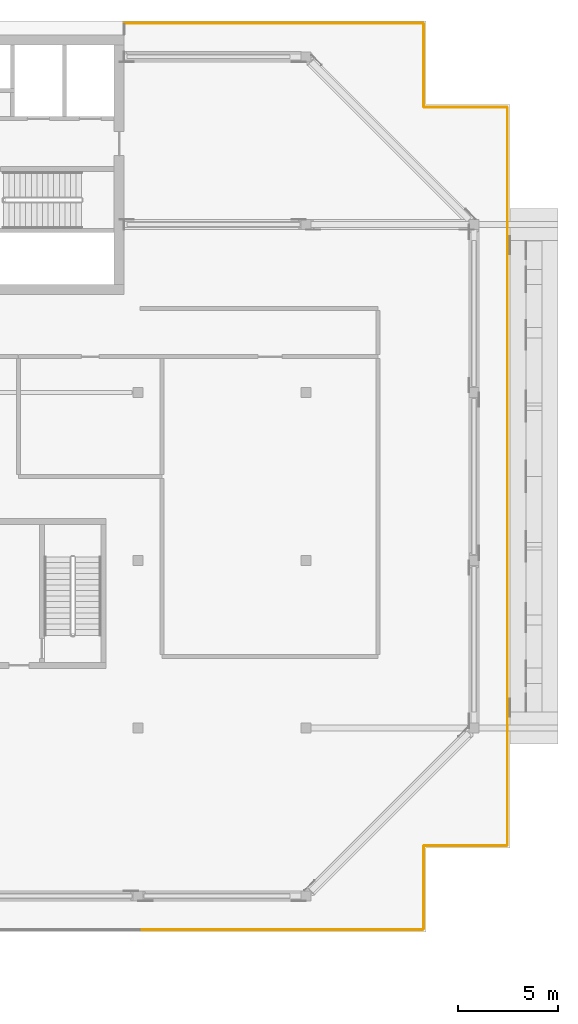
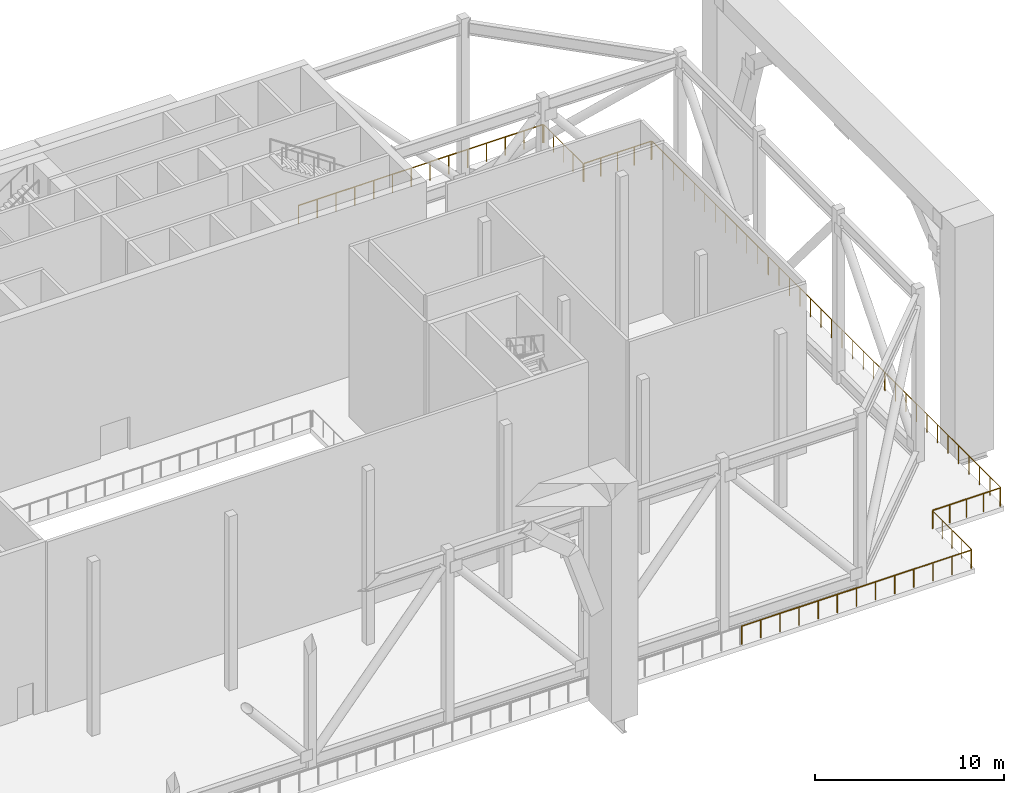
# One storey, part 20 of 20: 9 railings.
"""IFC4 building model written with IfcOpenShell, lengths in metres."""

import ifcopenshell
import ifcopenshell.guid

model = None  # the IFC model being written
_history = None  # IfcOwnerHistory: only IFC2X3 demands one
_inside = {}  # id of a spatial element -> (the spatial element, [elements in it])
_under = {}  # id of a project, library or spatial element -> (it, [spatial elements below it])
_declared = {}  # id of a project -> (the project, [libraries it declares])
_typed = {}  # id of a type object -> (the type object, [elements of that type])
_made_of = {}  # id of a material, layer set ... -> (it, [elements and type objects made of it])


def new_model(schema):
    """Start an empty IFC model of exactly this schema.

    Asked for "IFC4X3", IfcOpenShell would pick the latest addendum, in which some entities
    have other attributes; the version numbers below select the first issue.
    IFC2X3 requires an IfcOwnerHistory on every rooted entity: one is made here for all.
    """
    global model, _history
    if schema == "IFC4X3":
        model = ifcopenshell.file(schema_version=(4, 3, 0, 0))
    else:
        model = ifcopenshell.file(schema=schema)
    _inside.clear()
    _under.clear()
    _declared.clear()
    _typed.clear()
    _made_of.clear()
    _history = None
    if model.schema == "IFC2X3":
        org = make("IfcOrganization", Name="unknown")
        user = make(
            "IfcPersonAndOrganization",
            ThePerson=make("IfcPerson", FamilyName="unknown"),
            TheOrganization=org,
        )
        app = make(
            "IfcApplication",
            ApplicationDeveloper=org,
            Version="unknown",
            ApplicationFullName="unknown",
            ApplicationIdentifier="unknown",
        )
        _history = make(
            "IfcOwnerHistory",
            OwningUser=user,
            OwningApplication=app,
            ChangeAction="ADDED",
            CreationDate=0,
        )
    return model


def make(cls, **values):
    """One entity of the class cls with the attributes given. An attribute that is None is left unset."""
    return model.create_entity(
        cls, **{name: value for name, value in values.items() if value is not None}
    )


def rooted(cls, **values):
    """An entity with a GlobalId (a new one), such as an element, a storey or a relation."""
    return make(cls, GlobalId=ifcopenshell.guid.new(), OwnerHistory=_history, **values)


def si_unit(unit_type, name, prefix=None):
    """IfcSIUnit, for example si_unit("LENGTHUNIT", "METRE", prefix="MILLI")."""
    return make("IfcSIUnit", UnitType=unit_type, Prefix=prefix, Name=name)


def assignment(units):
    """IfcUnitAssignment: the units of a project."""
    return None if units is None else make("IfcUnitAssignment", Units=units)


def point(xyz):
    """IfcCartesianPoint."""
    return None if xyz is None else make("IfcCartesianPoint", Coordinates=xyz)


def direction(xyz):
    """IfcDirection."""
    return None if xyz is None else make("IfcDirection", DirectionRatios=xyz)


def frame(location, z_axis=None, x_axis=None):
    """IfcAxis2Placement3D, a coordinate frame: its origin and axes. An axis left out is left unset."""
    return make(
        "IfcAxis2Placement3D",
        Location=point(location),
        Axis=direction(z_axis),
        RefDirection=direction(x_axis),
    )


def frame_2d(location, x_axis=None):
    """IfcAxis2Placement2D, a coordinate frame in the plane: its origin and x axis."""
    return make(
        "IfcAxis2Placement2D", Location=point(location), RefDirection=direction(x_axis)
    )


def origin():
    """The frame at (0, 0, 0) with its axes left unset."""
    return frame((0.0, 0.0, 0.0))


def origin_2d():
    """The frame at (0, 0) in the plane with its x axis left unset."""
    return frame_2d((0.0, 0.0))


def place(relative_to, where):
    """IfcLocalPlacement: puts the frame where relative to a parent placement (None: the world)."""
    return make(
        "IfcLocalPlacement", PlacementRelTo=relative_to, RelativePlacement=where
    )


def context(
    kind, dimensions, precision=None, world=None, true_north=None, identifier=None
):
    """IfcGeometricRepresentationContext, for example the 3D "Model" context."""
    return make(
        "IfcGeometricRepresentationContext",
        ContextIdentifier=identifier,
        ContextType=kind,
        CoordinateSpaceDimension=dimensions,
        Precision=precision,
        WorldCoordinateSystem=world,
        TrueNorth=true_north,
    )


def subcontext(parent, identifier, kind, view, scale=None):
    """IfcGeometricRepresentationSubContext, for example "Body" below "Model"."""
    return make(
        "IfcGeometricRepresentationSubContext",
        ContextIdentifier=identifier,
        ContextType=kind,
        ParentContext=parent,
        TargetScale=scale,
        TargetView=view,
    )


def project(units=None, contexts=None):
    """IfcProject with its units and contexts."""
    return rooted(
        "IfcProject",
        Name="project",
        RepresentationContexts=contexts,
        UnitsInContext=assignment(units),
    )


def spatial(cls, under=None, at=None, **own):
    """A site, building, storey or space (cls), placed at a placement, below another one or the project."""
    s = rooted(cls, ObjectPlacement=at, **own)
    if under is not None:
        _under.setdefault(under.id(), (under, []))[1].append(s)
    return s


def profile(cls, at=None, kind="AREA", **sizes):
    """A parametric profile (cls). Its sizes go by their IFC names, for example OverallWidth=200.0."""
    return make(cls, ProfileType=kind, Position=at, **sizes)


def circle(**sizes):
    """IfcCircleProfileDef."""
    return profile("IfcCircleProfileDef", **sizes)


def extrude(swept, where, along, depth):
    """IfcExtrudedAreaSolid: the profile swept, set in the frame where, extruded along a direction by depth."""
    return make(
        "IfcExtrudedAreaSolid",
        SweptArea=swept,
        Position=where,
        ExtrudedDirection=direction(along),
        Depth=depth,
    )


def shape(context_of_items, identifier, shape_type, items):
    """IfcShapeRepresentation: the items that make up one representation, for example the "Body"."""
    return make(
        "IfcShapeRepresentation",
        ContextOfItems=context_of_items,
        RepresentationIdentifier=identifier,
        RepresentationType=shape_type,
        Items=items,
    )


def material(Name=None, Category=None):
    """IfcMaterial."""
    return make("IfcMaterial", Name=Name, Category=Category)


def made_of(thing, what):
    """Note that an element or type object is made of a material, layer set ...; save() writes the relation."""
    if what is not None:
        _made_of.setdefault(what.id(), (what, []))[1].append(thing)
    return thing


def type_object(cls, material=None, **own):
    """A type object (cls), such as IfcWallType, which elements share."""
    return made_of(rooted(cls, **own), material)


def element(
    cls,
    number,
    at=None,
    inside=None,
    cuts=None,
    type_object=None,
    material=None,
    context=None,
    identifier="Body",
    shape_type=None,
    held_by="IfcProductDefinitionShape",
    body=None,
    shapes=None,
    **own,
):
    """One element of the class cls, such as IfcWall. Its Tag is "e" and its number.

    at: its placement. inside: the storey or other place that contains it. cuts: it is an
    opening in that element (IfcRelVoidsElement). A single representation is given by context,
    identifier, shape_type and body (its items); several are given by shapes. held_by: the class
    of the entity that holds the representations. save() writes the other relations.
    """
    e = rooted(cls, Tag="e%d" % number, ObjectPlacement=at, **own)
    if body is not None:
        shapes = [shape(context, identifier, shape_type, body)]
    if shapes is not None:
        e.Representation = make(held_by, Representations=shapes)
    if inside is not None:
        _inside.setdefault(inside.id(), (inside, []))[1].append(e)
    if cuts is not None:
        rooted(
            "IfcRelVoidsElement", RelatingBuildingElement=cuts, RelatedOpeningElement=e
        )
    if type_object is not None:
        _typed.setdefault(type_object.id(), (type_object, []))[1].append(e)
    return made_of(e, material)


def aggregate(whole, parts):
    """IfcRelAggregates: a whole, such as a stair, and the parts it consists of."""
    return rooted("IfcRelAggregates", RelatingObject=whole, RelatedObjects=parts)


def save(model, path):
    """Write the relations noted so far, then the file.

    IfcRelAggregates (storeys below a building ...), IfcRelContainedInSpatialStructure (elements
    in a storey), IfcRelDefinesByType, IfcRelAssociatesMaterial and IfcRelDeclares: one each for
    every whole, place, type object, material and project.
    """
    for whole, parts in _under.values():
        aggregate(whole, parts)
    for where, things in _inside.values():
        rooted(
            "IfcRelContainedInSpatialStructure",
            RelatedElements=things,
            RelatingStructure=where,
        )
    for kind, things in _typed.values():
        rooted("IfcRelDefinesByType", RelatedObjects=things, RelatingType=kind)
    for what, things in _made_of.values():
        rooted("IfcRelAssociatesMaterial", RelatedObjects=things, RelatingMaterial=what)
    for by, libraries in _declared.values():
        rooted("IfcRelDeclares", RelatingContext=by, RelatedDefinitions=libraries)
    model.write(path)


model = new_model("IFC4")

# Units and contexts
model_context = context("Model", 3, precision=1e-05, world=origin(), true_north=direction((0.0, 1.0)))
body_context = subcontext(model_context, "Body", "Model", "MODEL_VIEW")
ifc_project = project(units=[si_unit("LENGTHUNIT", "METRE"), si_unit("AREAUNIT", "SQUARE_METRE"), si_unit("VOLUMEUNIT", "CUBIC_METRE"), si_unit("PLANEANGLEUNIT", "RADIAN"), si_unit("MASSUNIT", "GRAM", prefix="KILO")], contexts=[model_context])

# Site, building, storey
site_placement = place(None, origin())
site = spatial("IfcSite", under=ifc_project, at=site_placement, CompositionType="ELEMENT")
building_placement = place(site_placement, origin())
building = spatial("IfcBuilding", under=site, at=building_placement, Name="Saffron Gate Tower", CompositionType="ELEMENT")
storey_placement = place(building_placement, frame((0.0, 0.0, 252.300048828125)))
storey = spatial("IfcBuildingStorey", under=building, at=storey_placement, Name="L62", CompositionType="ELEMENT", Elevation=252.300048828125)

# Railings
ifc_material = material(Name="Stainless steel posts and toughened glass infill", Category="steel")
railing_type = type_object("IfcRailingType", Name="BAL1 balustrade 1200", PredefinedType="BALUSTRADE", material=ifc_material)
railing_1_placement = place(storey_placement, frame((108.80810546875, 30.1201171875, 0.0)))
element("IfcRailing", 1, at=railing_1_placement, inside=storey, type_object=railing_type, Name="GUARD portal deck edge", PredefinedType="BALUSTRADE", context=body_context, shape_type="SweptSolid", body=[
    extrude(circle(Radius=0.02392578125, at=origin_2d()), frame((0.0, 0.0, 1.17578125), z_axis=(1.0, 0.0, 0.0), x_axis=(0.0, 1.0, 0.0)), (0.0, 0.0, 1.0), 14.031982421875),
    extrude(circle(Radius=0.02099609375, at=origin_2d()), origin(), (0.0, 0.0, 1.0), 1.15185546875),
    extrude(circle(Radius=0.02099609375, at=origin_2d()), frame((1.16943359375, 0.0, 0.0)), (0.0, 0.0, 1.0), 1.15185546875),
    extrude(circle(Radius=0.02099609375, at=origin_2d()), frame((2.338623046875, 0.0, 0.0)), (0.0, 0.0, 1.0), 1.15185546875),
    extrude(circle(Radius=0.02099609375, at=origin_2d()), frame((3.508056640625, 0.0, 0.0)), (0.0, 0.0, 1.0), 1.15185546875),
    extrude(circle(Radius=0.02099609375, at=origin_2d()), frame((4.67724609375, 0.0, 0.0)), (0.0, 0.0, 1.0), 1.15185546875),
    extrude(circle(Radius=0.02099609375, at=origin_2d()), frame((5.8466796875, 0.0, 0.0)), (0.0, 0.0, 1.0), 1.15185546875),
    extrude(circle(Radius=0.02099609375, at=origin_2d()), frame((7.01611328125, 0.0, 0.0)), (0.0, 0.0, 1.0), 1.15185546875),
    extrude(circle(Radius=0.02099609375, at=origin_2d()), frame((8.185302734375, 0.0, 0.0)), (0.0, 0.0, 1.0), 1.15185546875),
    extrude(circle(Radius=0.02099609375, at=origin_2d()), frame((9.354736328125, 0.0, 0.0)), (0.0, 0.0, 1.0), 1.15185546875),
    extrude(circle(Radius=0.02099609375, at=origin_2d()), frame((10.52392578125, 0.0, 0.0)), (0.0, 0.0, 1.0), 1.15185546875),
    extrude(circle(Radius=0.02099609375, at=origin_2d()), frame((11.693359375, 0.0, 0.0)), (0.0, 0.0, 1.0), 1.15185546875),
    extrude(circle(Radius=0.02099609375, at=origin_2d()), frame((12.862548828125, 0.0, 0.0)), (0.0, 0.0, 1.0), 1.15185546875),
    extrude(circle(Radius=0.02099609375, at=origin_2d()), frame((14.031982421875, 0.0, 0.0)), (0.0, 0.0, 1.0), 1.15185546875),
])
railing_2_placement = place(storey_placement, frame((122.8798828125, 30.159912109375, 0.0)))
element("IfcRailing", 2, at=railing_2_placement, inside=storey, type_object=railing_type, Name="GUARD portal deck edge", PredefinedType="BALUSTRADE", context=body_context, shape_type="SweptSolid", body=[
    extrude(circle(Radius=0.02392578125, at=origin_2d()), frame((0.0, 0.0, 1.17578125), z_axis=(0.0, 1.0, 0.0), x_axis=(-1.0, 0.0, 0.0)), (0.0, 0.0, 1.0), 4.1201171875),
    extrude(circle(Radius=0.02099609375, at=origin_2d()), origin(), (0.0, 0.0, 1.0), 1.15185546875),
    extrude(circle(Radius=0.02099609375, at=origin_2d()), frame((0.0, 1.030029296875, 0.0)), (0.0, 0.0, 1.0), 1.15185546875),
    extrude(circle(Radius=0.02099609375, at=origin_2d()), frame((0.0, 2.06005859375, 0.0)), (0.0, 0.0, 1.0), 1.15185546875),
    extrude(circle(Radius=0.02099609375, at=origin_2d()), frame((0.0, 3.090087890625, 0.0)), (0.0, 0.0, 1.0), 1.15185546875),
    extrude(circle(Radius=0.02099609375, at=origin_2d()), frame((0.0, 4.1201171875, 0.0)), (0.0, 0.0, 1.0), 1.15185546875),
])
railing_3_placement = place(storey_placement, frame((122.919921875, 34.320068359375, 0.0)))
element("IfcRailing", 3, at=railing_3_placement, inside=storey, type_object=railing_type, Name="GUARD portal deck edge", PredefinedType="BALUSTRADE", context=body_context, shape_type="SweptSolid", body=[
    extrude(circle(Radius=0.02392578125, at=origin_2d()), frame((0.0, 0.0, 1.17578125), z_axis=(1.0, 0.0, 0.0), x_axis=(0.0, 1.0, 0.0)), (0.0, 0.0, 1.0), 4.1201171875),
    extrude(circle(Radius=0.02099609375, at=origin_2d()), origin(), (0.0, 0.0, 1.0), 1.15185546875),
    extrude(circle(Radius=0.02099609375, at=origin_2d()), frame((1.030029296875, 0.0, 0.0)), (0.0, 0.0, 1.0), 1.15185546875),
    extrude(circle(Radius=0.02099609375, at=origin_2d()), frame((2.06005859375, 0.0, 0.0)), (0.0, 0.0, 1.0), 1.15185546875),
    extrude(circle(Radius=0.02099609375, at=origin_2d()), frame((3.090087890625, 0.0, 0.0)), (0.0, 0.0, 1.0), 1.15185546875),
    extrude(circle(Radius=0.02099609375, at=origin_2d()), frame((4.1201171875, 0.0, 0.0)), (0.0, 0.0, 1.0), 1.15185546875),
])
for number, where, name in (
    (4, (127.080078125, 34.360107421875, 0.0), "GUARD portal deck edge"),
    (5, (127.080078125, 46.679931640625, 0.0), "GUARD portal deck edge"),
    (6, (127.080078125, 59.0, 0.0), "GUARD portal deck edge"),
):
    element("IfcRailing", number, at=place(storey_placement, frame(where)), inside=storey, type_object=railing_type, Name=name, PredefinedType="BALUSTRADE", context=body_context, shape_type="SweptSolid", body=[
        extrude(circle(Radius=0.02392578125, at=origin_2d()), frame((0.0, 0.0, 1.17578125), z_axis=(0.0, 1.0, 0.0), x_axis=(-1.0, 0.0, 0.0)), (0.0, 0.0, 1.0), 12.239990234375),
        extrude(circle(Radius=0.02099609375, at=origin_2d()), origin(), (0.0, 0.0, 1.0), 1.15185546875),
        extrude(circle(Radius=0.02099609375, at=origin_2d()), frame((0.0, 1.11279296875, 0.0)), (0.0, 0.0, 1.0), 1.15185546875),
        extrude(circle(Radius=0.02099609375, at=origin_2d()), frame((0.0, 2.225341796875, 0.0)), (0.0, 0.0, 1.0), 1.15185546875),
        extrude(circle(Radius=0.02099609375, at=origin_2d()), frame((0.0, 3.338134765625, 0.0)), (0.0, 0.0, 1.0), 1.15185546875),
        extrude(circle(Radius=0.02099609375, at=origin_2d()), frame((0.0, 4.450927734375, 0.0)), (0.0, 0.0, 1.0), 1.15185546875),
        extrude(circle(Radius=0.02099609375, at=origin_2d()), frame((0.0, 5.563720703125, 0.0)), (0.0, 0.0, 1.0), 1.15185546875),
        extrude(circle(Radius=0.02099609375, at=origin_2d()), frame((0.0, 6.67626953125, 0.0)), (0.0, 0.0, 1.0), 1.15185546875),
        extrude(circle(Radius=0.02099609375, at=origin_2d()), frame((0.0, 7.7890625, 0.0)), (0.0, 0.0, 1.0), 1.15185546875),
        extrude(circle(Radius=0.02099609375, at=origin_2d()), frame((0.0, 8.90185546875, 0.0)), (0.0, 0.0, 1.0), 1.15185546875),
        extrude(circle(Radius=0.02099609375, at=origin_2d()), frame((0.0, 10.0146484375, 0.0)), (0.0, 0.0, 1.0), 1.15185546875),
        extrude(circle(Radius=0.02099609375, at=origin_2d()), frame((0.0, 11.127197265625, 0.0)), (0.0, 0.0, 1.0), 1.15185546875),
        extrude(circle(Radius=0.02099609375, at=origin_2d()), frame((0.0, 12.239990234375, 0.0)), (0.0, 0.0, 1.0), 1.15185546875),
    ])
railing_4_placement = place(storey_placement, frame((127.0400390625, 71.280029296875, 0.0)))
element("IfcRailing", 7, at=railing_4_placement, inside=storey, type_object=railing_type, Name="GUARD portal deck edge", PredefinedType="BALUSTRADE", context=body_context, shape_type="SweptSolid", body=[
    extrude(circle(Radius=0.02392578125, at=origin_2d()), frame((0.0, 0.0, 1.17578125), z_axis=(-1.0, 0.0, 0.0), x_axis=(0.0, -1.0, 0.0)), (0.0, 0.0, 1.0), 4.1201171875),
    extrude(circle(Radius=0.02099609375, at=origin_2d()), origin(), (0.0, 0.0, 1.0), 1.15185546875),
    extrude(circle(Radius=0.02099609375, at=origin_2d()), frame((-1.030029296875, 0.0, 0.0)), (0.0, 0.0, 1.0), 1.15185546875),
    extrude(circle(Radius=0.02099609375, at=origin_2d()), frame((-2.06005859375, 0.0, 0.0)), (0.0, 0.0, 1.0), 1.15185546875),
    extrude(circle(Radius=0.02099609375, at=origin_2d()), frame((-3.090087890625, 0.0, 0.0)), (0.0, 0.0, 1.0), 1.15185546875),
    extrude(circle(Radius=0.02099609375, at=origin_2d()), frame((-4.1201171875, 0.0, 0.0)), (0.0, 0.0, 1.0), 1.15185546875),
])
railing_5_placement = place(storey_placement, frame((122.8798828125, 71.320068359375, 0.0)))
element("IfcRailing", 8, at=railing_5_placement, inside=storey, type_object=railing_type, Name="GUARD portal deck edge", PredefinedType="BALUSTRADE", context=body_context, shape_type="SweptSolid", body=[
    extrude(circle(Radius=0.02392578125, at=origin_2d()), frame((0.0, 0.0, 1.17578125), z_axis=(0.0, 1.0, 0.0), x_axis=(-1.0, 0.0, 0.0)), (0.0, 0.0, 1.0), 4.119873046875),
    extrude(circle(Radius=0.02099609375, at=origin_2d()), origin(), (0.0, 0.0, 1.0), 1.15185546875),
    extrude(circle(Radius=0.02099609375, at=origin_2d()), frame((0.0, 1.030029296875, 0.0)), (0.0, 0.0, 1.0), 1.15185546875),
    extrude(circle(Radius=0.02099609375, at=origin_2d()), frame((0.0, 2.06005859375, 0.0)), (0.0, 0.0, 1.0), 1.15185546875),
    extrude(circle(Radius=0.02099609375, at=origin_2d()), frame((0.0, 3.08984375, 0.0)), (0.0, 0.0, 1.0), 1.15185546875),
    extrude(circle(Radius=0.02099609375, at=origin_2d()), frame((0.0, 4.119873046875, 0.0)), (0.0, 0.0, 1.0), 1.15185546875),
])
railing_6_placement = place(storey_placement, frame((122.840087890625, 75.47998046875, 0.0)))
element("IfcRailing", 9, at=railing_6_placement, inside=storey, type_object=railing_type, Name="GUARD portal deck edge", PredefinedType="BALUSTRADE", context=body_context, shape_type="SweptSolid", body=[
    extrude(circle(Radius=0.02392578125, at=origin_2d()), frame((0.0, 0.0, 1.17578125), z_axis=(-1.0, 0.0, 0.0), x_axis=(0.0, -1.0, 0.0)), (0.0, 0.0, 1.0), 14.940185546875),
    extrude(circle(Radius=0.02099609375, at=origin_2d()), origin(), (0.0, 0.0, 1.0), 1.15185546875),
    extrude(circle(Radius=0.02099609375, at=origin_2d()), frame((-1.149169921875, 0.0, 0.0)), (0.0, 0.0, 1.0), 1.15185546875),
    extrude(circle(Radius=0.02099609375, at=origin_2d()), frame((-2.298583984375, 0.0, 0.0)), (0.0, 0.0, 1.0), 1.15185546875),
    extrude(circle(Radius=0.02099609375, at=origin_2d()), frame((-3.44775390625, 0.0, 0.0)), (0.0, 0.0, 1.0), 1.15185546875),
    extrude(circle(Radius=0.02099609375, at=origin_2d()), frame((-4.596923828125, 0.0, 0.0)), (0.0, 0.0, 1.0), 1.15185546875),
    extrude(circle(Radius=0.02099609375, at=origin_2d()), frame((-5.746337890625, 0.0, 0.0)), (0.0, 0.0, 1.0), 1.15185546875),
    extrude(circle(Radius=0.02099609375, at=origin_2d()), frame((-6.8955078125, 0.0, 0.0)), (0.0, 0.0, 1.0), 1.15185546875),
    extrude(circle(Radius=0.02099609375, at=origin_2d()), frame((-8.044677734375, 0.0, 0.0)), (0.0, 0.0, 1.0), 1.15185546875),
    extrude(circle(Radius=0.02099609375, at=origin_2d()), frame((-9.19384765625, 0.0, 0.0)), (0.0, 0.0, 1.0), 1.15185546875),
    extrude(circle(Radius=0.02099609375, at=origin_2d()), frame((-10.34326171875, 0.0, 0.0)), (0.0, 0.0, 1.0), 1.15185546875),
    extrude(circle(Radius=0.02099609375, at=origin_2d()), frame((-11.492431640625, 0.0, 0.0)), (0.0, 0.0, 1.0), 1.15185546875),
    extrude(circle(Radius=0.02099609375, at=origin_2d()), frame((-12.6416015625, 0.0, 0.0)), (0.0, 0.0, 1.0), 1.15185546875),
    extrude(circle(Radius=0.02099609375, at=origin_2d()), frame((-13.791015625, 0.0, 0.0)), (0.0, 0.0, 1.0), 1.15185546875),
    extrude(circle(Radius=0.02099609375, at=origin_2d()), frame((-14.940185546875, 0.0, 0.0)), (0.0, 0.0, 1.0), 1.15185546875),
])

save(model, "model.ifc")
